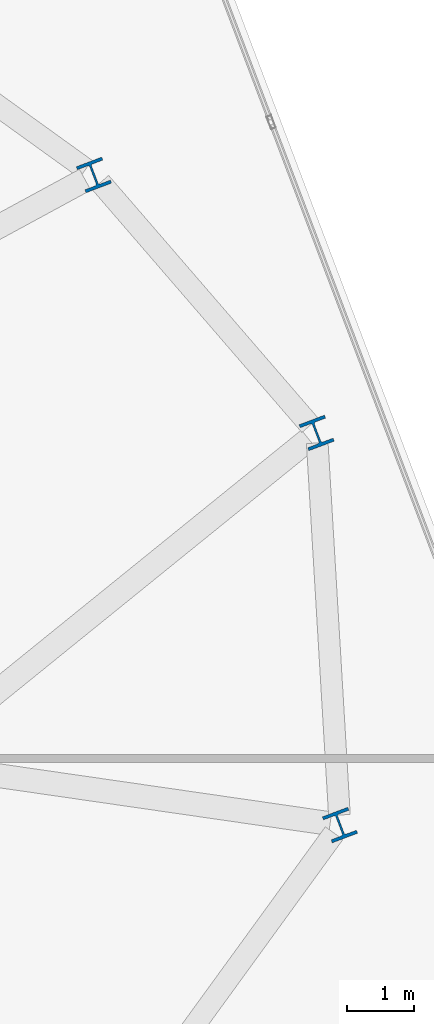
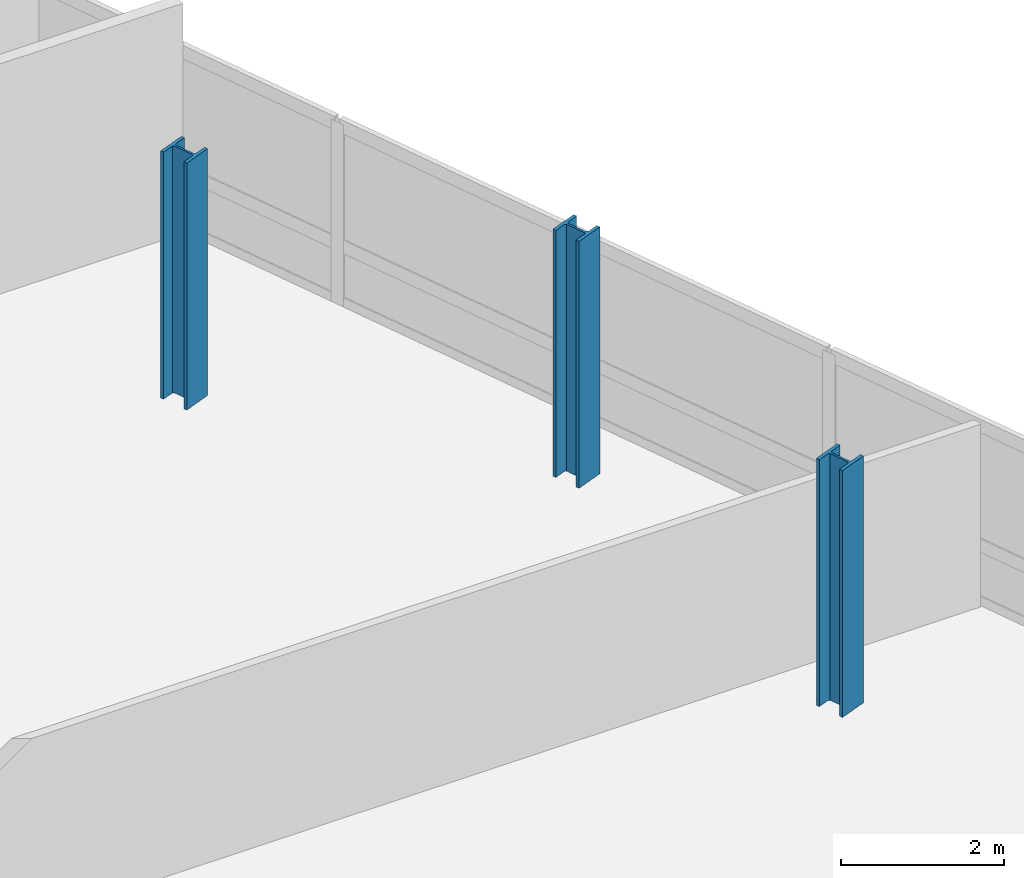
# One storey, part 2 of 20: 3 columns.
"""IFC4 building model written with IfcOpenShell, lengths in metres."""

from ifc_helpers import new_model, si_unit, direction, frame, origin, origin_2d, place, context, subcontext, project, spatial, i_section, extrude, material, material_profile, profile_set, type_object, element, save


model = new_model("IFC4")

# Units and contexts
model_context = context("Model", 3, precision=1e-05, world=origin(), true_north=direction((0.0, 1.0)))
body_context = subcontext(model_context, "Body", "Model", "MODEL_VIEW")
ifc_project = project(units=[si_unit("LENGTHUNIT", "METRE"), si_unit("AREAUNIT", "SQUARE_METRE"), si_unit("VOLUMEUNIT", "CUBIC_METRE"), si_unit("PLANEANGLEUNIT", "RADIAN"), si_unit("MASSUNIT", "GRAM", prefix="KILO")], contexts=[model_context])

# Site, building, storey
site_placement = place(None, origin())
site = spatial("IfcSite", under=ifc_project, at=site_placement, CompositionType="ELEMENT")
building_placement = place(site_placement, origin())
building = spatial("IfcBuilding", under=site, at=building_placement, Name="Varnelok Gate Tower", CompositionType="ELEMENT")
storey_placement = place(building_placement, frame((0.0, 0.0, 223.800048828125)))
storey = spatial("IfcBuildingStorey", under=building, at=storey_placement, Name="L57", CompositionType="ELEMENT", Elevation=223.800048828125)

# Columns
ifc_material = material(Name="Structural Steel ASTM A992 Grade 50", Category="steel")
ifc_material_profile = material_profile(ifc_material, i_section(OverallWidth=0.406005859375, OverallDepth=0.416015625, WebThickness=0.02978515625, FlangeThickness=0.048095703125, FilletRadius=0.02490234375, at=origin_2d()), Name="W14X257")
ifc_profile_set = profile_set([ifc_material_profile], Name="Structural Steel ASTM A992 Grade 50")
column_type = type_object("IfcColumnType", Name="COL-W14X257", PredefinedType="COLUMN", material=ifc_profile_set)
for number, where, z_axis, x_axis, name in (
    (1, (71.05517578125, 26.453369140625, 0.0), (0.0, 0.0, 1.0), (0.935221751401, 0.354062530786, 0.0), "L57 B5 Perimeter Column PC06"),
    (2, (70.70556640625, 32.319580078125, 0.0), (0.0, 0.0, 1.0), (0.935221751401, 0.354062530786, 0.0), "L57 B5 Perimeter Column PC07"),
    (3, (67.372802734375, 36.1796875, 0.0), (0.0, 0.0, 1.0), (0.935221751401, 0.354062530786, 0.0), "L57 B5 Perimeter Column PC08"),
):
    element("IfcColumn", number, at=place(storey_placement, frame(where, z_axis=z_axis, x_axis=x_axis)), inside=storey, type_object=column_type, Name=name, PredefinedType="COLUMN", context=body_context, shape_type="SweptSolid", body=[
        extrude(i_section(OverallWidth=0.406005859375, OverallDepth=0.416015625, WebThickness=0.02978515625, FlangeThickness=0.048095703125, FilletRadius=0.02490234375, at=origin_2d()), origin(), (0.0, 0.0, 1.0), 3.699951171875),
    ])

save(model, "model.ifc")
